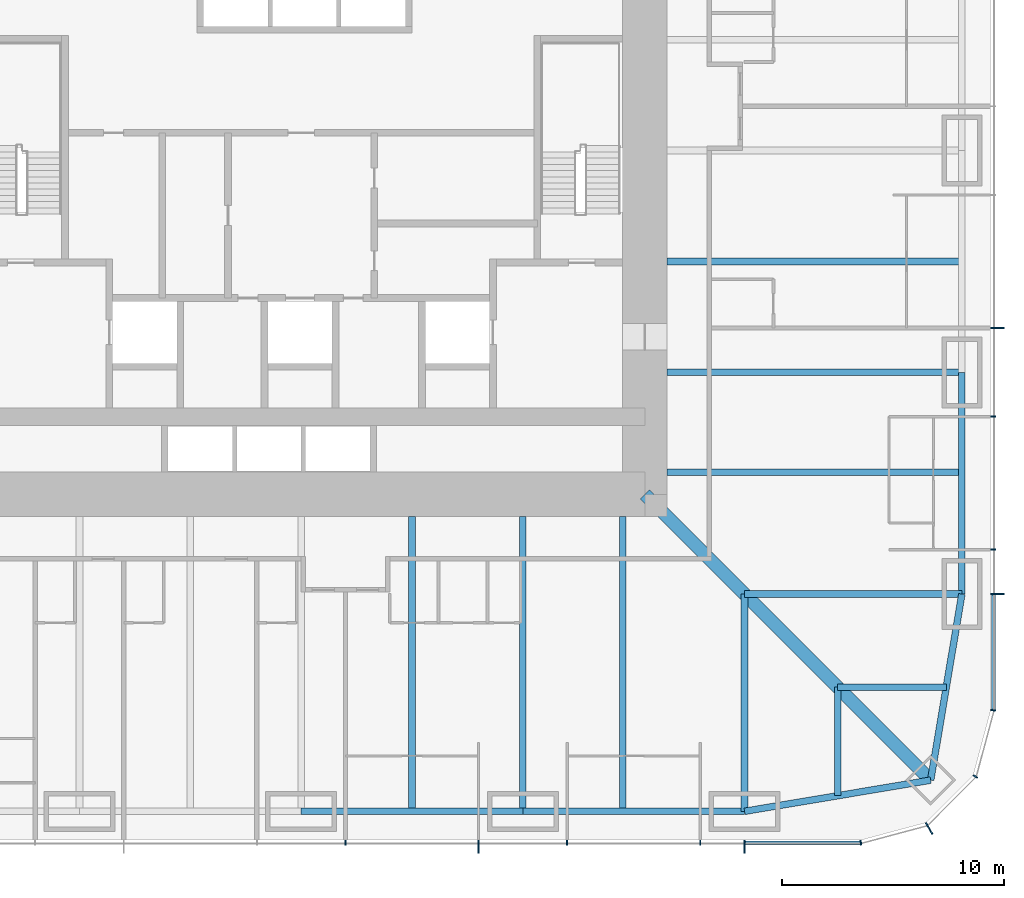
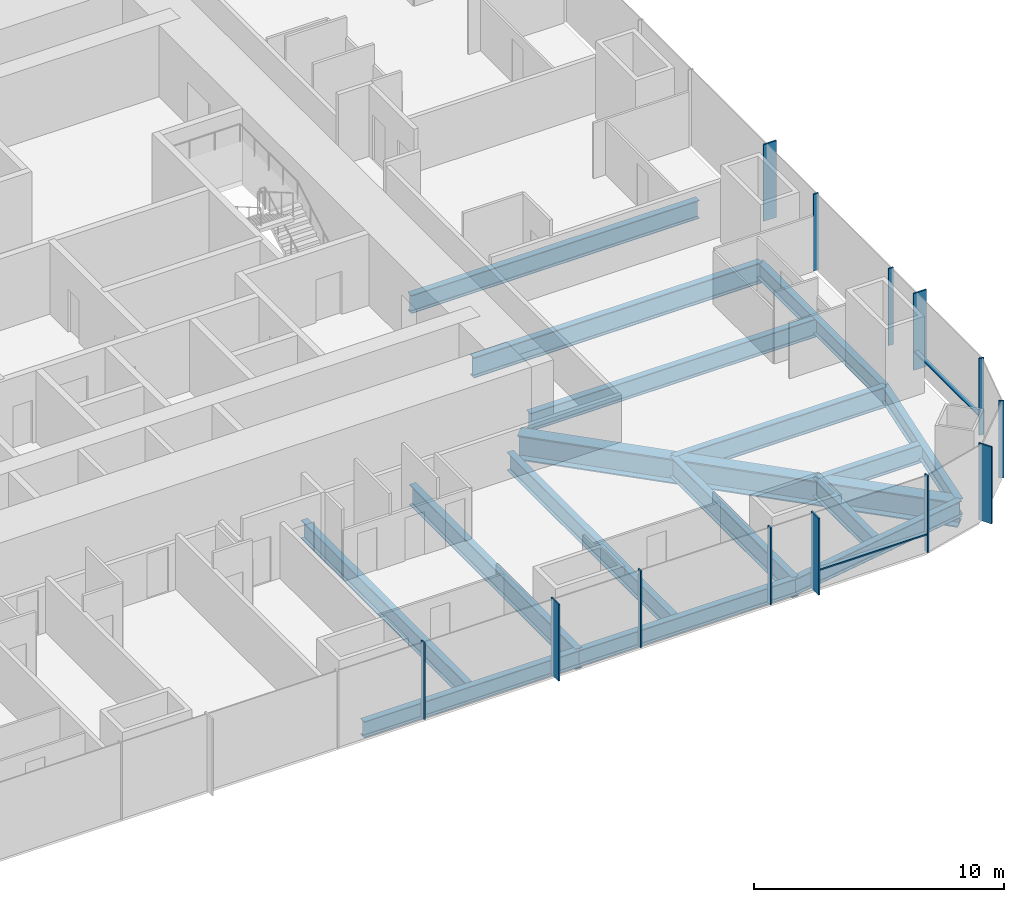
# One storey, part 4 of 16: 16 beams, 15 members, 3 elements without a shape of their own.
"""IFC4 building model written with IfcOpenShell, lengths in metres."""

from ifc_helpers import new_model, si_unit, direction, frame, origin, origin_2d, place, context, subcontext, project, spatial, rectangle, i_section, extrude, material, material_profile, profile_set, type_object, element, aggregate, save


model = new_model("IFC4")

# Units and contexts
model_context = context("Model", 3, precision=1e-05, world=origin(), true_north=direction((0.0, 1.0)))
body_context = subcontext(model_context, "Body", "Model", "MODEL_VIEW")
ifc_project = project(units=[si_unit("LENGTHUNIT", "METRE"), si_unit("AREAUNIT", "SQUARE_METRE"), si_unit("VOLUMEUNIT", "CUBIC_METRE"), si_unit("PLANEANGLEUNIT", "RADIAN"), si_unit("MASSUNIT", "GRAM", prefix="KILO")], contexts=[model_context])

# Site, building, storey
site_placement = place(None, origin())
site = spatial("IfcSite", under=ifc_project, at=site_placement, CompositionType="ELEMENT")
building_placement = place(site_placement, origin())
building = spatial("IfcBuilding", under=site, at=building_placement, Name="Khuree Lantern Residences", CompositionType="ELEMENT")
storey_placement = place(building_placement, frame((0.0, 0.0, 69.75)))
storey = spatial("IfcBuildingStorey", under=building, at=storey_placement, Name="L17", CompositionType="ELEMENT", Elevation=69.75)

# Beams
ifc_material_1 = material(Name="Steel S355", Category="steel")
ifc_material_profile_1 = material_profile(ifc_material_1, i_section(OverallWidth=0.300048828125, OverallDepth=0.889892578125, WebThickness=0.01611328125, FlangeThickness=0.030029296875, FilletRadius=0.030029296875, at=origin_2d()), Name="HE 900 A")
ifc_profile_set_1 = profile_set([ifc_material_profile_1], Name="Steel S355")
beam_type_1 = type_object("IfcBeamType", Name="B-14 SECONDARY BEAM HE 900 A", PredefinedType="BEAM", material=ifc_profile_set_1)
for number, where, z_axis, x_axis, name in (
    (1, (29.800048828125, -5.0, -0.695068359375), (-1.0, 0.0, 0.0), (0.0, -1.0, 0.0), "Secondary beam E4"),
    (2, (29.800048828125, -14.5, -0.695068359375), (-1.0, 0.0, 0.0), (0.0, -1.0, 0.0), "Secondary beam E5"),
):
    element("IfcBeam", number, at=place(storey_placement, frame(where, z_axis=z_axis, x_axis=x_axis)), inside=storey, type_object=beam_type_1, Name=name, PredefinedType="BEAM", context=body_context, shape_type="SweptSolid", body=[
        extrude(i_section(OverallWidth=0.300048828125, OverallDepth=0.889892578125, WebThickness=0.01611328125, FlangeThickness=0.030029296875, FilletRadius=0.030029296875, at=origin_2d()), origin(), (0.0, 0.0, 1.0), 13.300048828125),
    ])
for number, where, z_axis, x_axis, name in (
    (3, (29.09716796875, -24.197021484375, -0.695068359375), (-1.0, 0.0, 0.0), (0.0, -1.0, 0.0), "Secondary beam E6"),
    (4, (24.197021484375, -29.09716796875, -0.695068359375), (0.0, 1.0, 0.0), (-1.0, 0.0, 0.0), "Secondary beam S1"),
):
    element("IfcBeam", number, at=place(storey_placement, frame(where, z_axis=z_axis, x_axis=x_axis)), inside=storey, type_object=beam_type_1, Name=name, PredefinedType="BEAM", context=body_context, shape_type="SweptSolid", body=[
        extrude(i_section(OverallWidth=0.300048828125, OverallDepth=0.889892578125, WebThickness=0.01611328125, FlangeThickness=0.030029296875, FilletRadius=0.030029296875, at=origin_2d()), origin(), (0.0, 0.0, 1.0), 4.900146484375),
    ])
for number, where, z_axis, x_axis, name in (
    (5, (14.5, -29.800048828125, -0.695068359375), (0.0, 1.0, 0.0), (-1.0, 0.0, 0.0), "Secondary beam S2"),
    (6, (5.0, -29.800048828125, -0.695068359375), (0.0, 1.0, 0.0), (-1.0, 0.0, 0.0), "Secondary beam S3"),
):
    element("IfcBeam", number, at=place(storey_placement, frame(where, z_axis=z_axis, x_axis=x_axis)), inside=storey, type_object=beam_type_1, Name=name, PredefinedType="BEAM", context=body_context, shape_type="SweptSolid", body=[
        extrude(i_section(OverallWidth=0.300048828125, OverallDepth=0.889892578125, WebThickness=0.01611328125, FlangeThickness=0.030029296875, FilletRadius=0.030029296875, at=origin_2d()), origin(), (0.0, 0.0, 1.0), 13.300048828125),
    ])
ifc_material_profile_2 = material_profile(ifc_material_1, i_section(OverallWidth=0.300048828125, OverallDepth=0.7900390625, WebThickness=0.014892578125, FlangeThickness=0.028076171875, FilletRadius=0.030029296875, at=origin_2d()), Name="HE 800 A")
ifc_profile_set_2 = profile_set([ifc_material_profile_2], Name="Steel S355")
beam_type_2 = type_object("IfcBeamType", Name="E-14 SPANDREL BEAM HE 800 A", PredefinedType="SPANDREL", material=ifc_profile_set_2)
beam_1_placement = place(storey_placement, frame((29.800048828125, -10.0, -0.64501953125), z_axis=(0.0, -1.0, 0.0), x_axis=(1.0, 0.0, 0.0)))
element("IfcBeam", 7, at=beam_1_placement, inside=storey, type_object=beam_type_2, Name="Spandrel beam E5", PredefinedType="SPANDREL", context=body_context, shape_type="SweptSolid", body=[
    extrude(i_section(OverallWidth=0.300048828125, OverallDepth=0.7900390625, WebThickness=0.014892578125, FlangeThickness=0.028076171875, FilletRadius=0.030029296875, at=origin_2d()), origin(), (0.0, 0.0, 1.0), 10.0),
])
for number, where, z_axis, x_axis, name in (
    (8, (29.800048828125, -20.0, -0.64501953125), (-0.165199022349, -0.986260251158, 0.0), (0.986260251158, -0.165199022349, 0.0), "Spandrel beam E6"),
    (9, (28.39404296875, -28.39404296875, -0.64501953125), (-0.986260251158, -0.165199022349, 0.0), (0.165199022349, -0.986260251158, 0.0), "Spandrel beam S1"),
):
    element("IfcBeam", number, at=place(storey_placement, frame(where, z_axis=z_axis, x_axis=x_axis)), inside=storey, type_object=beam_type_2, Name=name, PredefinedType="SPANDREL", context=body_context, shape_type="SweptSolid", body=[
        extrude(i_section(OverallWidth=0.300048828125, OverallDepth=0.7900390625, WebThickness=0.014892578125, FlangeThickness=0.028076171875, FilletRadius=0.030029296875, at=origin_2d()), origin(), (0.0, 0.0, 1.0), 8.510986328125),
    ])
for number, where, z_axis, x_axis, name in (
    (10, (20.0, -29.800048828125, -0.64501953125), (-1.0, 0.0, 0.0), (0.0, -1.0, 0.0), "Spandrel beam S2"),
    (11, (10.0, -29.800048828125, -0.64501953125), (-1.0, 0.0, 0.0), (0.0, -1.0, 0.0), "Spandrel beam S3"),
):
    element("IfcBeam", number, at=place(storey_placement, frame(where, z_axis=z_axis, x_axis=x_axis)), inside=storey, type_object=beam_type_2, Name=name, PredefinedType="SPANDREL", context=body_context, shape_type="SweptSolid", body=[
        extrude(i_section(OverallWidth=0.300048828125, OverallDepth=0.7900390625, WebThickness=0.014892578125, FlangeThickness=0.028076171875, FilletRadius=0.030029296875, at=origin_2d()), origin(), (0.0, 0.0, 1.0), 10.0),
    ])

# Curtain wall, member
ifc_material_2 = material(Name="Bronze anodised aluminium", Category="aluminium")
curtain_wall_type_1 = type_object("IfcCurtainWallType", Name="CW-T2 TOWER CORNER CURTAIN WALL", PredefinedType="USERDEFINED", material=ifc_material_2)
curtain_wall_1_placement = place(storey_placement, origin())
curtain_wall_1 = element("IfcCurtainWall", 12, at=curtain_wall_1_placement, inside=storey, type_object=curtain_wall_type_1, Name="L17 SOUTH-EAST CORNER CURTAIN WALL", ObjectType="Faceted corner curtain wall", PredefinedType="USERDEFINED")
ifc_material_profile_3 = material_profile(ifc_material_2, rectangle(XDim=0.06494140625, YDim=0.60009765625, at=origin_2d()), Name="F1 65X600")
ifc_profile_set_3 = profile_set([ifc_material_profile_3], Name="Bronze anodised aluminium")
member_type_1 = type_object("IfcMemberType", Name="F1 BRONZE FIN MULLION TOWER 65X600", PredefinedType="MULLION", material=ifc_profile_set_3)
member_1_placement = place(storey_placement, frame((28.324951171875, -30.576171875, 0.0), z_axis=(0.0, 0.0, 1.0), x_axis=(0.86602537092, 0.500000056923, 0.0)))
member_1 = element("IfcMember", 13, at=member_1_placement, type_object=member_type_1, Name="L17 SOUTH-EAST CORNER FIN MULLION 2", PredefinedType="MULLION", context=body_context, shape_type="SweptSolid", body=[
    extrude(rectangle(XDim=0.06494140625, YDim=0.60009765625, at=origin_2d()), origin(), (0.0, 0.0, 1.0), 3.75),
])

# Curtain wall, members
curtain_wall_type_2 = type_object("IfcCurtainWallType", Name="CW-T1 TOWER FACE CURTAIN WALL", PredefinedType="USERDEFINED", material=ifc_material_2)
curtain_wall_2_placement = place(storey_placement, origin())
curtain_wall_2 = element("IfcCurtainWall", 14, at=curtain_wall_2_placement, inside=storey, type_object=curtain_wall_type_2, Name="L17 EAST FACE CURTAIN WALL", ObjectType="Stick-built curtain wall", PredefinedType="USERDEFINED")
member_2_placement = place(storey_placement, frame((31.39990234375, -20.0, 0.0), z_axis=(0.0, 0.0, 1.0), x_axis=(0.0, 1.0, 0.0)))
member_2 = element("IfcMember", 15, at=member_2_placement, type_object=member_type_1, Name="L17 EAST FACE FIN MULLION 5", PredefinedType="MULLION", context=body_context, shape_type="SweptSolid", body=[
    extrude(rectangle(XDim=0.06494140625, YDim=0.60009765625, at=origin_2d()), origin(), (0.0, 0.0, 1.0), 3.75),
])
member_3_placement = place(storey_placement, frame((31.39990234375, -8.0, 0.0), z_axis=(0.0, 0.0, 1.0), x_axis=(0.0, 1.0, 0.0)))
member_3 = element("IfcMember", 16, at=member_3_placement, type_object=member_type_1, Name="L17 EAST FACE FIN MULLION 8", PredefinedType="MULLION", context=body_context, shape_type="SweptSolid", body=[
    extrude(rectangle(XDim=0.06494140625, YDim=0.60009765625, at=origin_2d()), origin(), (0.0, 0.0, 1.0), 3.75),
])

curtain_wall_3_placement = place(storey_placement, origin())
curtain_wall_3 = element("IfcCurtainWall", 17, at=curtain_wall_3_placement, inside=storey, type_object=curtain_wall_type_2, Name="L17 SOUTH FACE CURTAIN WALL", ObjectType="Stick-built curtain wall", PredefinedType="USERDEFINED")
member_4_placement = place(storey_placement, frame((8.0, -31.39990234375, 0.0), z_axis=(0.0, 0.0, 1.0), x_axis=(1.0, 0.0, 0.0)))
member_4 = element("IfcMember", 18, at=member_4_placement, type_object=member_type_1, Name="L17 SOUTH FACE FIN MULLION 53", PredefinedType="MULLION", context=body_context, shape_type="SweptSolid", body=[
    extrude(rectangle(XDim=0.06494140625, YDim=0.60009765625, at=origin_2d()), origin(), (0.0, 0.0, 1.0), 3.75),
])
member_5_placement = place(storey_placement, frame((20.0, -31.39990234375, 0.0), z_axis=(0.0, 0.0, 1.0), x_axis=(1.0, 0.0, 0.0)))
member_5 = element("IfcMember", 19, at=member_5_placement, type_object=member_type_1, Name="L17 SOUTH FACE FIN MULLION 56", PredefinedType="MULLION", context=body_context, shape_type="SweptSolid", body=[
    extrude(rectangle(XDim=0.06494140625, YDim=0.60009765625, at=origin_2d()), origin(), (0.0, 0.0, 1.0), 3.75),
])

# Beams
ifc_material_profile_4 = material_profile(ifc_material_1, i_section(OverallWidth=0.302001953125, OverallDepth=1.008056640625, WebThickness=0.02099609375, FlangeThickness=0.0400390625, FilletRadius=0.030029296875, at=origin_2d()), Name="HE 1000 M")
ifc_profile_set_4 = profile_set([ifc_material_profile_4], Name="Steel S355")
beam_type_3 = type_object("IfcBeamType", Name="G-14 GIRDER HE 1000 M", PredefinedType="BEAM", material=ifc_profile_set_4)
beam_2_placement = place(storey_placement, frame((29.800048828125, -10.0, -0.75390625), z_axis=(-1.0, 0.0, 0.0), x_axis=(0.0, -1.0, 0.0)))
element("IfcBeam", 20, at=beam_2_placement, inside=storey, type_object=beam_type_3, Name="Girder E4", PredefinedType="BEAM", context=body_context, shape_type="SweptSolid", body=[
    extrude(i_section(OverallWidth=0.302001953125, OverallDepth=1.008056640625, WebThickness=0.02099609375, FlangeThickness=0.0400390625, FilletRadius=0.030029296875, at=origin_2d()), origin(), (0.0, 0.0, 1.0), 13.300048828125),
])
for number, where, z_axis, x_axis, name in (
    (21, (29.800048828125, -20.0, -0.75390625), (-1.0, 0.0, 0.0), (0.0, -1.0, 0.0), "Girder E5"),
    (22, (20.0, -29.800048828125, -0.75390625), (0.0, 1.0, 0.0), (-1.0, 0.0, 0.0), "Girder S1"),
):
    element("IfcBeam", number, at=place(storey_placement, frame(where, z_axis=z_axis, x_axis=x_axis)), inside=storey, type_object=beam_type_3, Name=name, PredefinedType="BEAM", context=body_context, shape_type="SweptSolid", body=[
        extrude(i_section(OverallWidth=0.302001953125, OverallDepth=1.008056640625, WebThickness=0.02099609375, FlangeThickness=0.0400390625, FilletRadius=0.030029296875, at=origin_2d()), origin(), (0.0, 0.0, 1.0), 9.800048828125),
    ])
beam_3_placement = place(storey_placement, frame((10.0, -29.800048828125, -0.75390625), z_axis=(0.0, 1.0, 0.0), x_axis=(-1.0, 0.0, 0.0)))
element("IfcBeam", 23, at=beam_3_placement, inside=storey, type_object=beam_type_3, Name="Girder S2", PredefinedType="BEAM", context=body_context, shape_type="SweptSolid", body=[
    extrude(i_section(OverallWidth=0.302001953125, OverallDepth=1.008056640625, WebThickness=0.02099609375, FlangeThickness=0.0400390625, FilletRadius=0.030029296875, at=origin_2d()), origin(), (0.0, 0.0, 1.0), 13.300048828125),
])
ifc_material_profile_5 = material_profile(ifc_material_1, i_section(OverallWidth=0.60009765625, OverallDepth=1.199951171875, WebThickness=0.030029296875, FlangeThickness=0.06005859375, at=origin_2d()), Name="WELDED I 1200X600X30X60")
ifc_profile_set_5 = profile_set([ifc_material_profile_5], Name="Steel S355")
beam_type_4 = type_object("IfcBeamType", Name="GD-14 CORNER GIRDER WELDED I 1200X600X30X60", PredefinedType="BEAM", material=ifc_profile_set_5)
beam_4_placement = place(storey_placement, frame((28.39404296875, -28.39404296875, -0.85009765625), z_axis=(-0.707106781187, 0.707106781187, 0.0), x_axis=(-0.707106781187, -0.707106781187, 0.0)))
element("IfcBeam", 24, at=beam_4_placement, inside=storey, type_object=beam_type_4, Name="Corner girder SE", PredefinedType="BEAM", context=body_context, shape_type="SweptSolid", body=[
    extrude(i_section(OverallWidth=0.60009765625, OverallDepth=1.199951171875, WebThickness=0.030029296875, FlangeThickness=0.06005859375, at=origin_2d()), origin(), (0.0, 0.0, 1.0), 18.23486328125),
])

# Member
ifc_material_profile_6 = material_profile(ifc_material_2, rectangle(XDim=0.06494140625, YDim=0.219970703125, at=origin_2d()), Name="M1 65X220")
ifc_profile_set_6 = profile_set([ifc_material_profile_6], Name="Bronze anodised aluminium")
member_type_2 = type_object("IfcMemberType", Name="M1 BRONZE MULLION TOWER 65X220", PredefinedType="MULLION", material=ifc_profile_set_6)
member_6_placement = place(storey_placement, frame((25.244873046875, -31.211669921875, 0.0), z_axis=(0.0, 0.0, 1.0), x_axis=(0.991444852794, 0.130526257387, 0.0)))
member_6 = element("IfcMember", 25, at=member_6_placement, type_object=member_type_2, Name="L17 SOUTH-EAST CORNER MULLION 1", PredefinedType="MULLION", context=body_context, shape_type="SweptSolid", body=[
    extrude(rectangle(XDim=0.06494140625, YDim=0.219970703125, at=origin_2d()), origin(), (0.0, 0.0, 1.0), 3.75),
])

member_7_placement = place(storey_placement, frame((30.41162109375, -28.22998046875, 0.0), z_axis=(0.0, 0.0, 1.0), x_axis=(0.500000056923, 0.86602537092, 0.0)))
member_7 = element("IfcMember", 26, at=member_7_placement, type_object=member_type_2, Name="L17 SOUTH-EAST CORNER MULLION 3", PredefinedType="MULLION", context=body_context, shape_type="SweptSolid", body=[
    extrude(rectangle(XDim=0.06494140625, YDim=0.219970703125, at=origin_2d()), origin(), (0.0, 0.0, 1.0), 3.75),
])

aggregate(curtain_wall_1, [member_6, member_1, member_7])

member_8_placement = place(storey_placement, frame((31.211669921875, -25.244873046875, 0.0), z_axis=(0.0, 0.0, 1.0), x_axis=(0.130526257387, 0.991444852794, 0.0)))
member_8 = element("IfcMember", 27, at=member_8_placement, type_object=member_type_2, Name="L17 EAST FACE MULLION 4", PredefinedType="MULLION", context=body_context, shape_type="SweptSolid", body=[
    extrude(rectangle(XDim=0.06494140625, YDim=0.219970703125, at=origin_2d()), origin(), (0.0, 0.0, 1.0), 3.75),
])

member_9_placement = place(storey_placement, frame((31.2099609375, -18.0, 0.0), z_axis=(0.0, 0.0, 1.0), x_axis=(0.0, 1.0, 0.0)))
member_9 = element("IfcMember", 28, at=member_9_placement, type_object=member_type_2, Name="L17 EAST FACE MULLION 6", PredefinedType="MULLION", context=body_context, shape_type="SweptSolid", body=[
    extrude(rectangle(XDim=0.06494140625, YDim=0.219970703125, at=origin_2d()), origin(), (0.0, 0.0, 1.0), 3.75),
])

member_10_placement = place(storey_placement, frame((31.2099609375, -12.0, 0.0), z_axis=(0.0, 0.0, 1.0), x_axis=(0.0, 1.0, 0.0)))
member_10 = element("IfcMember", 29, at=member_10_placement, type_object=member_type_2, Name="L17 EAST FACE MULLION 7", PredefinedType="MULLION", context=body_context, shape_type="SweptSolid", body=[
    extrude(rectangle(XDim=0.06494140625, YDim=0.219970703125, at=origin_2d()), origin(), (0.0, 0.0, 1.0), 3.75),
])

member_11_placement = place(storey_placement, frame((2.0, -31.2099609375, 0.0), z_axis=(0.0, 0.0, 1.0), x_axis=(1.0, 0.0, 0.0)))
member_11 = element("IfcMember", 30, at=member_11_placement, type_object=member_type_2, Name="L17 SOUTH FACE MULLION 52", PredefinedType="MULLION", context=body_context, shape_type="SweptSolid", body=[
    extrude(rectangle(XDim=0.06494140625, YDim=0.219970703125, at=origin_2d()), origin(), (0.0, 0.0, 1.0), 3.75),
])

member_12_placement = place(storey_placement, frame((12.0, -31.2099609375, 0.0), z_axis=(0.0, 0.0, 1.0), x_axis=(1.0, 0.0, 0.0)))
member_12 = element("IfcMember", 31, at=member_12_placement, type_object=member_type_2, Name="L17 SOUTH FACE MULLION 54", PredefinedType="MULLION", context=body_context, shape_type="SweptSolid", body=[
    extrude(rectangle(XDim=0.06494140625, YDim=0.219970703125, at=origin_2d()), origin(), (0.0, 0.0, 1.0), 3.75),
])

member_13_placement = place(storey_placement, frame((18.0, -31.2099609375, 0.0), z_axis=(0.0, 0.0, 1.0), x_axis=(1.0, 0.0, 0.0)))
member_13 = element("IfcMember", 32, at=member_13_placement, type_object=member_type_2, Name="L17 SOUTH FACE MULLION 55", PredefinedType="MULLION", context=body_context, shape_type="SweptSolid", body=[
    extrude(rectangle(XDim=0.06494140625, YDim=0.219970703125, at=origin_2d()), origin(), (0.0, 0.0, 1.0), 3.75),
])

ifc_material_profile_7 = material_profile(ifc_material_2, rectangle(XDim=0.179931640625, YDim=0.06494140625, at=origin_2d()), Name="T1 180X65")
ifc_profile_set_7 = profile_set([ifc_material_profile_7], Name="Bronze anodised aluminium")
member_type_3 = type_object("IfcMemberType", Name="TRANSOM T1 TOWER 180X65", PredefinedType="USERDEFINED", material=ifc_profile_set_7)
member_14_placement = place(storey_placement, frame((31.219970703125, -25.201416015625, 0.89990234375), z_axis=(0.0, 1.0, 0.0), x_axis=(-1.0, 0.0, 0.0)))
member_14 = element("IfcMember", 33, at=member_14_placement, type_object=member_type_3, Name="L17 EAST FACE TRANSOM 4.1", ObjectType="Transom", PredefinedType="USERDEFINED", context=body_context, shape_type="SweptSolid", body=[
    extrude(rectangle(XDim=0.179931640625, YDim=0.06494140625, at=origin_2d()), origin(), (0.0, 0.0, 1.0), 5.1689453125),
])

aggregate(curtain_wall_2, [member_8, member_2, member_9, member_10, member_3, member_14])

member_15_placement = place(storey_placement, frame((20.032470703125, -31.219970703125, 0.89990234375), z_axis=(1.0, 0.0, 0.0), x_axis=(0.0, 1.0, 0.0)))
member_15 = element("IfcMember", 34, at=member_15_placement, type_object=member_type_3, Name="L17 SOUTH FACE TRANSOM 56.1", ObjectType="Transom", PredefinedType="USERDEFINED", context=body_context, shape_type="SweptSolid", body=[
    extrude(rectangle(XDim=0.179931640625, YDim=0.06494140625, at=origin_2d()), origin(), (0.0, 0.0, 1.0), 5.1689453125),
])

aggregate(curtain_wall_3, [member_11, member_4, member_12, member_13, member_5, member_15])

save(model, "model.ifc")
